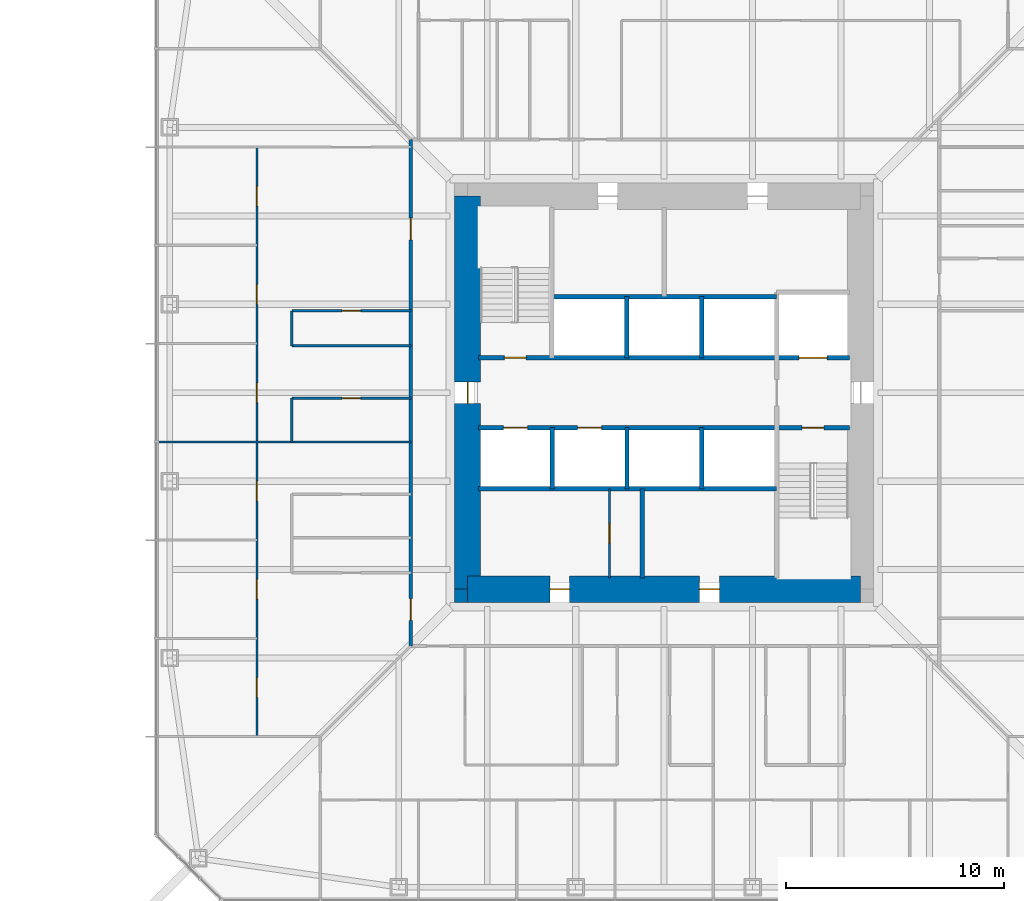
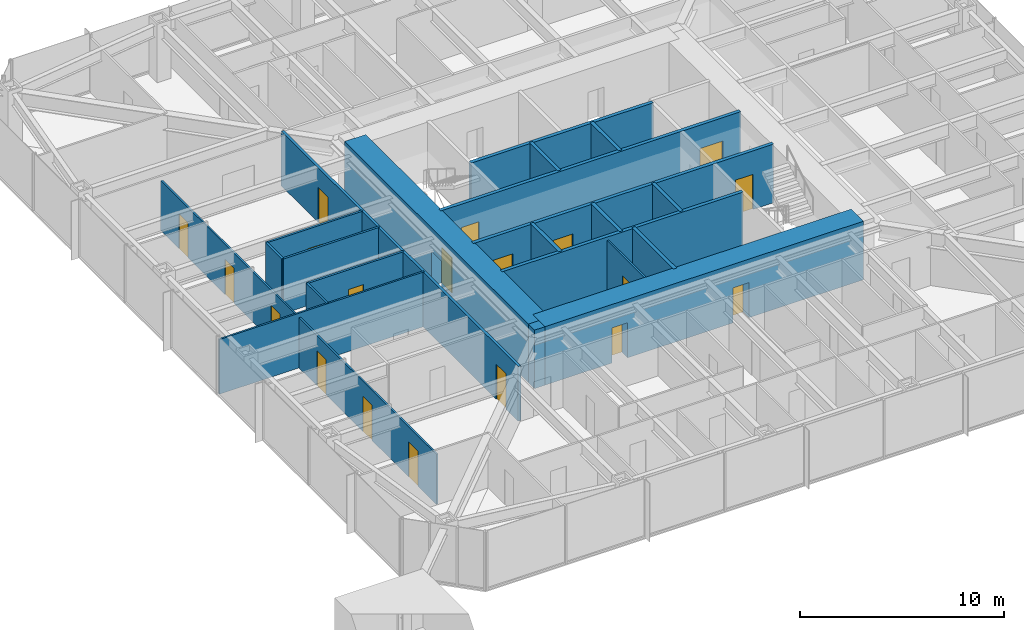
# One storey, part 15 of 26: 22 walls, 19 doors, 19 openings.
"""IFC4 building model written with IfcOpenShell, lengths in metres."""

import ifcopenshell
import ifcopenshell.guid

model = None  # the IFC model being written
_history = None  # IfcOwnerHistory: only IFC2X3 demands one
_inside = {}  # id of a spatial element -> (the spatial element, [elements in it])
_under = {}  # id of a project, library or spatial element -> (it, [spatial elements below it])
_declared = {}  # id of a project -> (the project, [libraries it declares])
_typed = {}  # id of a type object -> (the type object, [elements of that type])
_made_of = {}  # id of a material, layer set ... -> (it, [elements and type objects made of it])


def new_model(schema):
    """Start an empty IFC model of exactly this schema.

    Asked for "IFC4X3", IfcOpenShell would pick the latest addendum, in which some entities
    have other attributes; the version numbers below select the first issue.
    IFC2X3 requires an IfcOwnerHistory on every rooted entity: one is made here for all.
    """
    global model, _history
    if schema == "IFC4X3":
        model = ifcopenshell.file(schema_version=(4, 3, 0, 0))
    else:
        model = ifcopenshell.file(schema=schema)
    _inside.clear()
    _under.clear()
    _declared.clear()
    _typed.clear()
    _made_of.clear()
    _history = None
    if model.schema == "IFC2X3":
        org = make("IfcOrganization", Name="unknown")
        user = make(
            "IfcPersonAndOrganization",
            ThePerson=make("IfcPerson", FamilyName="unknown"),
            TheOrganization=org,
        )
        app = make(
            "IfcApplication",
            ApplicationDeveloper=org,
            Version="unknown",
            ApplicationFullName="unknown",
            ApplicationIdentifier="unknown",
        )
        _history = make(
            "IfcOwnerHistory",
            OwningUser=user,
            OwningApplication=app,
            ChangeAction="ADDED",
            CreationDate=0,
        )
    return model


def make(cls, **values):
    """One entity of the class cls with the attributes given. An attribute that is None is left unset."""
    return model.create_entity(
        cls, **{name: value for name, value in values.items() if value is not None}
    )


def rooted(cls, **values):
    """An entity with a GlobalId (a new one), such as an element, a storey or a relation."""
    return make(cls, GlobalId=ifcopenshell.guid.new(), OwnerHistory=_history, **values)


def si_unit(unit_type, name, prefix=None):
    """IfcSIUnit, for example si_unit("LENGTHUNIT", "METRE", prefix="MILLI")."""
    return make("IfcSIUnit", UnitType=unit_type, Prefix=prefix, Name=name)


def assignment(units):
    """IfcUnitAssignment: the units of a project."""
    return None if units is None else make("IfcUnitAssignment", Units=units)


def point(xyz):
    """IfcCartesianPoint."""
    return None if xyz is None else make("IfcCartesianPoint", Coordinates=xyz)


def direction(xyz):
    """IfcDirection."""
    return None if xyz is None else make("IfcDirection", DirectionRatios=xyz)


def frame(location, z_axis=None, x_axis=None):
    """IfcAxis2Placement3D, a coordinate frame: its origin and axes. An axis left out is left unset."""
    return make(
        "IfcAxis2Placement3D",
        Location=point(location),
        Axis=direction(z_axis),
        RefDirection=direction(x_axis),
    )


def frame_2d(location, x_axis=None):
    """IfcAxis2Placement2D, a coordinate frame in the plane: its origin and x axis."""
    return make(
        "IfcAxis2Placement2D", Location=point(location), RefDirection=direction(x_axis)
    )


def origin():
    """The frame at (0, 0, 0) with its axes left unset."""
    return frame((0.0, 0.0, 0.0))


def place(relative_to, where):
    """IfcLocalPlacement: puts the frame where relative to a parent placement (None: the world)."""
    return make(
        "IfcLocalPlacement", PlacementRelTo=relative_to, RelativePlacement=where
    )


def context(
    kind, dimensions, precision=None, world=None, true_north=None, identifier=None
):
    """IfcGeometricRepresentationContext, for example the 3D "Model" context."""
    return make(
        "IfcGeometricRepresentationContext",
        ContextIdentifier=identifier,
        ContextType=kind,
        CoordinateSpaceDimension=dimensions,
        Precision=precision,
        WorldCoordinateSystem=world,
        TrueNorth=true_north,
    )


def subcontext(parent, identifier, kind, view, scale=None):
    """IfcGeometricRepresentationSubContext, for example "Body" below "Model"."""
    return make(
        "IfcGeometricRepresentationSubContext",
        ContextIdentifier=identifier,
        ContextType=kind,
        ParentContext=parent,
        TargetScale=scale,
        TargetView=view,
    )


def project(units=None, contexts=None):
    """IfcProject with its units and contexts."""
    return rooted(
        "IfcProject",
        Name="project",
        RepresentationContexts=contexts,
        UnitsInContext=assignment(units),
    )


def spatial(cls, under=None, at=None, **own):
    """A site, building, storey or space (cls), placed at a placement, below another one or the project."""
    s = rooted(cls, ObjectPlacement=at, **own)
    if under is not None:
        _under.setdefault(under.id(), (under, []))[1].append(s)
    return s


def profile(cls, at=None, kind="AREA", **sizes):
    """A parametric profile (cls). Its sizes go by their IFC names, for example OverallWidth=200.0."""
    return make(cls, ProfileType=kind, Position=at, **sizes)


def rectangle(**sizes):
    """IfcRectangleProfileDef."""
    return profile("IfcRectangleProfileDef", **sizes)


def extrude(swept, where, along, depth):
    """IfcExtrudedAreaSolid: the profile swept, set in the frame where, extruded along a direction by depth."""
    return make(
        "IfcExtrudedAreaSolid",
        SweptArea=swept,
        Position=where,
        ExtrudedDirection=direction(along),
        Depth=depth,
    )


def shape(context_of_items, identifier, shape_type, items):
    """IfcShapeRepresentation: the items that make up one representation, for example the "Body"."""
    return make(
        "IfcShapeRepresentation",
        ContextOfItems=context_of_items,
        RepresentationIdentifier=identifier,
        RepresentationType=shape_type,
        Items=items,
    )


def material(Name=None, Category=None):
    """IfcMaterial."""
    return make("IfcMaterial", Name=Name, Category=Category)


def layer(
    of_material, thickness, ventilated=None, Name=None, Category=None, Priority=None
):
    """IfcMaterialLayer: one layer of a wall or slab, of a material (None: an air gap)."""
    return make(
        "IfcMaterialLayer",
        Material=of_material,
        LayerThickness=thickness,
        IsVentilated=ventilated,
        Name=Name,
        Category=Category,
        Priority=Priority,
    )


def layer_set(layers, Name=None):
    """IfcMaterialLayerSet."""
    return make("IfcMaterialLayerSet", MaterialLayers=layers, LayerSetName=Name)


def made_of(thing, what):
    """Note that an element or type object is made of a material, layer set ...; save() writes the relation."""
    if what is not None:
        _made_of.setdefault(what.id(), (what, []))[1].append(thing)
    return thing


def type_object(cls, material=None, **own):
    """A type object (cls), such as IfcWallType, which elements share."""
    return made_of(rooted(cls, **own), material)


def element(
    cls,
    number,
    at=None,
    inside=None,
    cuts=None,
    type_object=None,
    material=None,
    context=None,
    identifier="Body",
    shape_type=None,
    held_by="IfcProductDefinitionShape",
    body=None,
    shapes=None,
    **own,
):
    """One element of the class cls, such as IfcWall. Its Tag is "e" and its number.

    at: its placement. inside: the storey or other place that contains it. cuts: it is an
    opening in that element (IfcRelVoidsElement). A single representation is given by context,
    identifier, shape_type and body (its items); several are given by shapes. held_by: the class
    of the entity that holds the representations. save() writes the other relations.
    """
    e = rooted(cls, Tag="e%d" % number, ObjectPlacement=at, **own)
    if body is not None:
        shapes = [shape(context, identifier, shape_type, body)]
    if shapes is not None:
        e.Representation = make(held_by, Representations=shapes)
    if inside is not None:
        _inside.setdefault(inside.id(), (inside, []))[1].append(e)
    if cuts is not None:
        rooted(
            "IfcRelVoidsElement", RelatingBuildingElement=cuts, RelatedOpeningElement=e
        )
    if type_object is not None:
        _typed.setdefault(type_object.id(), (type_object, []))[1].append(e)
    return made_of(e, material)


def fill(opening, filler):
    """IfcRelFillsElement: the door or window that sits in an opening."""
    return rooted(
        "IfcRelFillsElement",
        RelatingOpeningElement=opening,
        RelatedBuildingElement=filler,
    )


def aggregate(whole, parts):
    """IfcRelAggregates: a whole, such as a stair, and the parts it consists of."""
    return rooted("IfcRelAggregates", RelatingObject=whole, RelatedObjects=parts)


def save(model, path):
    """Write the relations noted so far, then the file.

    IfcRelAggregates (storeys below a building ...), IfcRelContainedInSpatialStructure (elements
    in a storey), IfcRelDefinesByType, IfcRelAssociatesMaterial and IfcRelDeclares: one each for
    every whole, place, type object, material and project.
    """
    for whole, parts in _under.values():
        aggregate(whole, parts)
    for where, things in _inside.values():
        rooted(
            "IfcRelContainedInSpatialStructure",
            RelatedElements=things,
            RelatingStructure=where,
        )
    for kind, things in _typed.values():
        rooted("IfcRelDefinesByType", RelatedObjects=things, RelatingType=kind)
    for what, things in _made_of.values():
        rooted("IfcRelAssociatesMaterial", RelatedObjects=things, RelatingMaterial=what)
    for by, libraries in _declared.values():
        rooted("IfcRelDeclares", RelatingContext=by, RelatedDefinitions=libraries)
    model.write(path)


model = new_model("IFC4")

# Units and contexts
model_context = context("Model", 3, precision=1e-05, world=origin(), true_north=direction((0.0, 1.0)))
body_context = subcontext(model_context, "Body", "Model", "MODEL_VIEW")
ifc_project = project(units=[si_unit("LENGTHUNIT", "METRE"), si_unit("AREAUNIT", "SQUARE_METRE"), si_unit("VOLUMEUNIT", "CUBIC_METRE"), si_unit("PLANEANGLEUNIT", "RADIAN"), si_unit("MASSUNIT", "GRAM", prefix="KILO")], contexts=[model_context])

# Site, building, storey
site_placement = place(None, origin())
site = spatial("IfcSite", under=ifc_project, at=site_placement, CompositionType="ELEMENT")
building_placement = place(site_placement, origin())
building = spatial("IfcBuilding", under=site, at=building_placement, Name="Iwan Alto Co-Living Towers", CompositionType="ELEMENT")
storey_placement = place(building_placement, frame((0.0, 0.0, 67.5)))
storey = spatial("IfcBuildingStorey", under=building, at=storey_placement, Name="L18", CompositionType="ELEMENT", Elevation=67.5)

# Wall, openings, doors
ifc_material_1 = material(Name="Gypsum board")
ifc_layer_1 = layer(ifc_material_1, 0.02490234375, Name="Board", Category="Finish")
ifc_material_2 = material(Name="Steel ASTM A1003 ST33H cold-formed studs", Category="steel")
ifc_layer_2 = layer(ifc_material_2, 0.10009765625, Name="Studs", Category="Framing")
ifc_layer_3 = layer(ifc_material_1, 0.02490234375, Name="Board", Category="Finish")
ifc_layer_set_1 = layer_set([ifc_layer_1, ifc_layer_2, ifc_layer_3], Name="CORRIDOR WALL 150")
wall_type_1 = type_object("IfcWallType", Name="CORRIDOR WALL 150", PredefinedType="PARTITIONING", material=ifc_layer_set_1)
wall_1_placement = place(storey_placement, frame((-11.60009765625, -11.60009765625, 0.0), z_axis=(0.0, 0.0, 1.0), x_axis=(0.0, 1.0, 0.0)))
wall_1 = element("IfcWall", 1, at=wall_1_placement, inside=storey, type_object=wall_type_1, Name="Partition L18", PredefinedType="PARTITIONING", context=body_context, shape_type="SweptSolid", body=[
    extrude(rectangle(XDim=23.2001953125, YDim=0.14990234375, at=frame_2d((11.60009765625, 0.0))), origin(), (0.0, 0.0, 1.0), 3.27001953125),
])
opening_1_placement = place(wall_1_placement, frame((18.60009765625, 0.0, 0.0)))
opening_1 = element("IfcOpeningElement", 2, at=opening_1_placement, cuts=wall_1, Name="Opening D3", PredefinedType="OPENING", context=body_context, shape_type="SweptSolid", body=[
    extrude(rectangle(XDim=1.0, YDim=2.10009765625, at=frame_2d((0.5, 1.050048828125))), frame((0.0, 0.0849609375, 0.0), z_axis=(0.0, -1.0, 0.0), x_axis=(1.0, 0.0, 0.0)), (0.0, 0.0, 1.0), 0.169921875),
])
opening_2_placement = place(wall_1_placement, frame((1.175048828125, 0.0, 0.0)))
opening_2 = element("IfcOpeningElement", 3, at=opening_2_placement, cuts=wall_1, Name="Opening D3", PredefinedType="OPENING", context=body_context, shape_type="SweptSolid", body=[
    extrude(rectangle(XDim=1.0, YDim=2.10009765625, at=frame_2d((0.5, 1.050048828125))), frame((0.0, 0.0849609375, 0.0), z_axis=(0.0, -1.0, 0.0), x_axis=(1.0, 0.0, 0.0)), (0.0, 0.0, 1.0), 0.169921875),
])
ifc_material_3 = material(Name="Steel frame with timber leaf", Category="steel")
door_type_1 = type_object("IfcDoorType", Name="FLAT ENTRANCE DOOR FD30S 1000X2100", OperationType="SINGLE_SWING_LEFT", PredefinedType="DOOR", material=ifc_material_3)
door_1_placement = place(opening_1_placement, origin())
door_1 = element("IfcDoor", 4, at=door_1_placement, inside=storey, type_object=door_type_1, Name="Cluster lounge and shared kitchen door L18", OperationType="SINGLE_SWING_LEFT", OverallHeight=2.10009765625, OverallWidth=1.0, PredefinedType="DOOR", context=body_context, shape_type="SweptSolid", body=[
    extrude(rectangle(XDim=1.0, YDim=2.10009765625, at=frame_2d((0.5, 1.050048828125))), frame((0.0, 0.02490234375, 0.0), z_axis=(0.0, -1.0, 0.0), x_axis=(1.0, 0.0, 0.0)), (0.0, 0.0, 1.0), 0.050048828125),
])
fill(opening_1, door_1)
door_2_placement = place(opening_2_placement, origin())
door_2 = element("IfcDoor", 5, at=door_2_placement, inside=storey, type_object=door_type_1, Name="Cluster lounge and shared kitchen door L18", OperationType="SINGLE_SWING_RIGHT", OverallHeight=2.10009765625, OverallWidth=1.0, PredefinedType="DOOR", context=body_context, shape_type="SweptSolid", body=[
    extrude(rectangle(XDim=1.0, YDim=2.10009765625, at=frame_2d((0.5, 1.050048828125))), frame((0.0, 0.02490234375, 0.0), z_axis=(0.0, -1.0, 0.0), x_axis=(1.0, 0.0, 0.0)), (0.0, 0.0, 1.0), 0.050048828125),
])
fill(opening_2, door_2)

# Wall
ifc_layer_4 = layer(ifc_material_1, 0.012451171875, Name="Board", Category="Finish")
ifc_layer_5 = layer(ifc_material_2, 0.074951171875, Name="Studs", Category="Framing")
ifc_layer_6 = layer(ifc_material_1, 0.012451171875, Name="Board", Category="Finish")
ifc_layer_set_2 = layer_set([ifc_layer_4, ifc_layer_5, ifc_layer_6], Name="PARTITION 100")
wall_type_2 = type_object("IfcWallType", Name="PARTITION 100", PredefinedType="PARTITIONING", material=ifc_layer_set_2)
wall_2_placement = place(storey_placement, frame((-23.18994140625, -2.25, 0.0), z_axis=(0.0, 0.0, 1.0), x_axis=(1.0, 0.0, 0.0)))
element("IfcWall", 6, at=wall_2_placement, inside=storey, type_object=wall_type_2, Name="Partition L18", PredefinedType="PARTITIONING", context=body_context, shape_type="SweptSolid", body=[
    extrude(rectangle(XDim=11.58984375, YDim=0.10009765625, at=frame_2d((5.794921875, 0.0))), origin(), (0.0, 0.0, 1.0), 3.27001953125),
])

# Wall, opening, door
wall_3_placement = place(storey_placement, frame((-2.5, -8.489990234375, 0.0), z_axis=(0.0, 0.0, 1.0), x_axis=(0.0, 1.0, 0.0)))
wall_3 = element("IfcWall", 7, at=wall_3_placement, inside=storey, type_object=wall_type_2, Name="Partition L18", PredefinedType="PARTITIONING", context=body_context, shape_type="SweptSolid", body=[
    extrude(rectangle(XDim=4.090087890625, YDim=0.10009765625, at=frame_2d((2.044921875, 0.0))), origin(), (0.0, 0.0, 1.0), 3.300048828125),
])
opening_3_placement = place(wall_3_placement, frame((1.594970703125, 0.0, 0.0)))
opening_3 = element("IfcOpeningElement", 8, at=opening_3_placement, cuts=wall_3, Name="Opening D16", PredefinedType="OPENING", context=body_context, shape_type="SweptSolid", body=[
    extrude(rectangle(XDim=0.89990234375, YDim=2.10009765625, at=frame_2d((0.449951171875, 1.050048828125))), frame((0.0, 0.06005859375, 0.0), z_axis=(0.0, -1.0, 0.0), x_axis=(1.0, 0.0, 0.0)), (0.0, 0.0, 1.0), 0.1201171875),
])
ifc_material_4 = material(Name="Timber leaf in steel frame", Category="steel")
door_type_2 = type_object("IfcDoorType", Name="CUPBOARD SLIDING DOOR 900X2100", OperationType="SLIDING_TO_LEFT", PredefinedType="DOOR", material=ifc_material_4)
door_3_placement = place(opening_3_placement, origin())
door_3 = element("IfcDoor", 9, at=door_3_placement, inside=storey, type_object=door_type_2, Name="Recycling store door L18", OperationType="SLIDING_TO_LEFT", OverallHeight=2.10009765625, OverallWidth=0.89990234375, PredefinedType="DOOR", context=body_context, shape_type="SweptSolid", body=[
    extrude(rectangle(XDim=0.89990234375, YDim=2.10009765625, at=frame_2d((0.449951171875, 1.050048828125))), frame((0.0, 0.02490234375, 0.0), z_axis=(0.0, -1.0, 0.0), x_axis=(1.0, 0.0, 0.0)), (0.0, 0.0, 1.0), 0.050048828125),
])
fill(opening_3, door_3)

# Wall, openings, doors
wall_4_placement = place(storey_placement, frame((-18.64990234375, -15.75, 0.0), z_axis=(0.0, 0.0, 1.0), x_axis=(0.0, 1.0, 0.0)))
wall_4 = element("IfcWall", 10, at=wall_4_placement, inside=storey, type_object=wall_type_2, Name="Partition L18", PredefinedType="PARTITIONING", context=body_context, shape_type="SweptSolid", body=[
    extrude(rectangle(XDim=27.0, YDim=0.10009765625, at=frame_2d((13.5, 0.0))), origin(), (0.0, 0.0, 1.0), 3.0),
])
opening_4_placement = place(wall_4_placement, frame((24.300048828125, 0.0, 0.0)))
opening_4 = element("IfcOpeningElement", 11, at=opening_4_placement, cuts=wall_4, Name="Opening D1", PredefinedType="OPENING", context=body_context, shape_type="SweptSolid", body=[
    extrude(rectangle(XDim=0.89990234375, YDim=2.10009765625, at=frame_2d((0.449951171875, 1.050048828125))), frame((0.0, 0.06005859375, 0.0), z_axis=(0.0, -1.0, 0.0), x_axis=(1.0, 0.0, 0.0)), (0.0, 0.0, 1.0), 0.1201171875),
])
opening_5_placement = place(wall_4_placement, frame((19.800048828125, 0.0, 0.0)))
opening_5 = element("IfcOpeningElement", 12, at=opening_5_placement, cuts=wall_4, Name="Opening D1", PredefinedType="OPENING", context=body_context, shape_type="SweptSolid", body=[
    extrude(rectangle(XDim=0.89990234375, YDim=2.10009765625, at=frame_2d((0.449951171875, 1.050048828125))), frame((0.0, 0.06005859375, 0.0), z_axis=(0.0, -1.0, 0.0), x_axis=(1.0, 0.0, 0.0)), (0.0, 0.0, 1.0), 0.1201171875),
])
opening_6_placement = place(wall_4_placement, frame((15.300048828125, 0.0, 0.0)))
opening_6 = element("IfcOpeningElement", 13, at=opening_6_placement, cuts=wall_4, Name="Opening D1", PredefinedType="OPENING", context=body_context, shape_type="SweptSolid", body=[
    extrude(rectangle(XDim=0.89990234375, YDim=2.10009765625, at=frame_2d((0.449951171875, 1.050048828125))), frame((0.0, 0.06005859375, 0.0), z_axis=(0.0, -1.0, 0.0), x_axis=(1.0, 0.0, 0.0)), (0.0, 0.0, 1.0), 0.1201171875),
])
opening_7_placement = place(wall_4_placement, frame((10.800048828125, 0.0, 0.0)))
opening_7 = element("IfcOpeningElement", 14, at=opening_7_placement, cuts=wall_4, Name="Opening D1", PredefinedType="OPENING", context=body_context, shape_type="SweptSolid", body=[
    extrude(rectangle(XDim=0.89990234375, YDim=2.10009765625, at=frame_2d((0.449951171875, 1.050048828125))), frame((0.0, 0.06005859375, 0.0), z_axis=(0.0, -1.0, 0.0), x_axis=(1.0, 0.0, 0.0)), (0.0, 0.0, 1.0), 0.1201171875),
])
opening_8_placement = place(wall_4_placement, frame((6.300048828125, 0.0, 0.0)))
opening_8 = element("IfcOpeningElement", 15, at=opening_8_placement, cuts=wall_4, Name="Opening D1", PredefinedType="OPENING", context=body_context, shape_type="SweptSolid", body=[
    extrude(rectangle(XDim=0.89990234375, YDim=2.10009765625, at=frame_2d((0.449951171875, 1.050048828125))), frame((0.0, 0.06005859375, 0.0), z_axis=(0.0, -1.0, 0.0), x_axis=(1.0, 0.0, 0.0)), (0.0, 0.0, 1.0), 0.1201171875),
])
opening_9_placement = place(wall_4_placement, frame((1.800048828125, 0.0, 0.0)))
opening_9 = element("IfcOpeningElement", 16, at=opening_9_placement, cuts=wall_4, Name="Opening D1", PredefinedType="OPENING", context=body_context, shape_type="SweptSolid", body=[
    extrude(rectangle(XDim=0.89990234375, YDim=2.10009765625, at=frame_2d((0.449951171875, 1.050048828125))), frame((0.0, 0.06005859375, 0.0), z_axis=(0.0, -1.0, 0.0), x_axis=(1.0, 0.0, 0.0)), (0.0, 0.0, 1.0), 0.1201171875),
])
ifc_material_5 = material(Name="Timber leaf in steel frame", Category="steel")
door_type_3 = type_object("IfcDoorType", Name="BEDROOM DOOR 900X2100", OperationType="SINGLE_SWING_LEFT", PredefinedType="DOOR", material=ifc_material_5)
door_4_placement = place(opening_4_placement, frame((0.89990234375, 0.0, 0.0), z_axis=(0.0, 0.0, 1.0), x_axis=(-1.0, 0.0, 0.0)))
door_4 = element("IfcDoor", 17, at=door_4_placement, inside=storey, type_object=door_type_3, Name="Study bedroom door L18", OperationType="SINGLE_SWING_LEFT", OverallHeight=2.10009765625, OverallWidth=0.89990234375, PredefinedType="DOOR", context=body_context, shape_type="SweptSolid", body=[
    extrude(rectangle(XDim=0.89990234375, YDim=2.10009765625, at=frame_2d((0.449951171875, 1.050048828125))), frame((0.0, 0.02490234375, 0.0), z_axis=(0.0, -1.0, 0.0), x_axis=(1.0, 0.0, 0.0)), (0.0, 0.0, 1.0), 0.050048828125),
])
fill(opening_4, door_4)
door_5_placement = place(opening_5_placement, frame((0.89990234375, 0.0, 0.0), z_axis=(0.0, 0.0, 1.0), x_axis=(-1.0, 0.0, 0.0)))
door_5 = element("IfcDoor", 18, at=door_5_placement, inside=storey, type_object=door_type_3, Name="Study bedroom door L18", OperationType="SINGLE_SWING_RIGHT", OverallHeight=2.10009765625, OverallWidth=0.89990234375, PredefinedType="DOOR", context=body_context, shape_type="SweptSolid", body=[
    extrude(rectangle(XDim=0.89990234375, YDim=2.10009765625, at=frame_2d((0.449951171875, 1.050048828125))), frame((0.0, 0.02490234375, 0.0), z_axis=(0.0, -1.0, 0.0), x_axis=(1.0, 0.0, 0.0)), (0.0, 0.0, 1.0), 0.050048828125),
])
fill(opening_5, door_5)
door_6_placement = place(opening_6_placement, frame((0.89990234375, 0.0, 0.0), z_axis=(0.0, 0.0, 1.0), x_axis=(-1.0, 0.0, 0.0)))
door_6 = element("IfcDoor", 19, at=door_6_placement, inside=storey, type_object=door_type_3, Name="Study bedroom door L18", OperationType="SINGLE_SWING_RIGHT", OverallHeight=2.10009765625, OverallWidth=0.89990234375, PredefinedType="DOOR", context=body_context, shape_type="SweptSolid", body=[
    extrude(rectangle(XDim=0.89990234375, YDim=2.10009765625, at=frame_2d((0.449951171875, 1.050048828125))), frame((0.0, 0.02490234375, 0.0), z_axis=(0.0, -1.0, 0.0), x_axis=(1.0, 0.0, 0.0)), (0.0, 0.0, 1.0), 0.050048828125),
])
fill(opening_6, door_6)
door_7_placement = place(opening_7_placement, frame((0.89990234375, 0.0, 0.0), z_axis=(0.0, 0.0, 1.0), x_axis=(-1.0, 0.0, 0.0)))
door_7 = element("IfcDoor", 20, at=door_7_placement, inside=storey, type_object=door_type_3, Name="Study bedroom door L18", OperationType="SINGLE_SWING_LEFT", OverallHeight=2.10009765625, OverallWidth=0.89990234375, PredefinedType="DOOR", context=body_context, shape_type="SweptSolid", body=[
    extrude(rectangle(XDim=0.89990234375, YDim=2.10009765625, at=frame_2d((0.449951171875, 1.050048828125))), frame((0.0, 0.02490234375, 0.0), z_axis=(0.0, -1.0, 0.0), x_axis=(1.0, 0.0, 0.0)), (0.0, 0.0, 1.0), 0.050048828125),
])
fill(opening_7, door_7)
door_8_placement = place(opening_8_placement, frame((0.89990234375, 0.0, 0.0), z_axis=(0.0, 0.0, 1.0), x_axis=(-1.0, 0.0, 0.0)))
door_8 = element("IfcDoor", 21, at=door_8_placement, inside=storey, type_object=door_type_3, Name="Study bedroom door L18", OperationType="SINGLE_SWING_RIGHT", OverallHeight=2.10009765625, OverallWidth=0.89990234375, PredefinedType="DOOR", context=body_context, shape_type="SweptSolid", body=[
    extrude(rectangle(XDim=0.89990234375, YDim=2.10009765625, at=frame_2d((0.449951171875, 1.050048828125))), frame((0.0, 0.02490234375, 0.0), z_axis=(0.0, -1.0, 0.0), x_axis=(1.0, 0.0, 0.0)), (0.0, 0.0, 1.0), 0.050048828125),
])
fill(opening_8, door_8)
door_9_placement = place(opening_9_placement, frame((0.89990234375, 0.0, 0.0), z_axis=(0.0, 0.0, 1.0), x_axis=(-1.0, 0.0, 0.0)))
door_9 = element("IfcDoor", 22, at=door_9_placement, inside=storey, type_object=door_type_3, Name="Study bedroom door L18", OperationType="SINGLE_SWING_RIGHT", OverallHeight=2.10009765625, OverallWidth=0.89990234375, PredefinedType="DOOR", context=body_context, shape_type="SweptSolid", body=[
    extrude(rectangle(XDim=0.89990234375, YDim=2.10009765625, at=frame_2d((0.449951171875, 1.050048828125))), frame((0.0, 0.02490234375, 0.0), z_axis=(0.0, -1.0, 0.0), x_axis=(1.0, 0.0, 0.0)), (0.0, 0.0, 1.0), 0.050048828125),
])
fill(opening_9, door_9)

# Wall
ifc_material_6 = material(Name="Concrete f'c 70 MPa", Category="concrete")
ifc_layer_7 = layer(ifc_material_6, 0.199951171875)
ifc_layer_set_3 = layer_set([ifc_layer_7], Name="SHAFT WALL 200")
wall_type_3 = type_object("IfcWallType", Name="SHAFT WALL 200", PredefinedType="SOLIDWALL", material=ifc_layer_set_3)
wall_5_placement = place(storey_placement, frame((-8.489990234375, -4.39990234375, 0.0), z_axis=(0.0, 0.0, 1.0), x_axis=(1.0, 0.0, 0.0)))
element("IfcWall", 23, at=wall_5_placement, inside=storey, type_object=wall_type_3, Name="Shaft wall L18", PredefinedType="SOLIDWALL", context=body_context, shape_type="SweptSolid", body=[
    extrude(rectangle(XDim=13.639892578125, YDim=0.199951171875, at=frame_2d((6.81982421875, 0.0))), origin(), (0.0, 0.0, 1.0), 3.5),
])

# Wall, openings, doors
wall_6_placement = place(storey_placement, frame((-8.489990234375, -1.60009765625, 0.0), z_axis=(0.0, 0.0, 1.0), x_axis=(1.0, 0.0, 0.0)))
wall_6 = element("IfcWall", 24, at=wall_6_placement, inside=storey, type_object=wall_type_3, Name="Shaft wall L18", PredefinedType="SOLIDWALL", context=body_context, shape_type="SweptSolid", body=[
    extrude(rectangle(XDim=16.97998046875, YDim=0.199951171875, at=frame_2d((8.489990234375, 0.0))), origin(), (0.0, 0.0, 1.0), 3.5),
])
opening_10_placement = place(wall_6_placement, frame((14.81005859375, 0.0, 0.0)))
opening_10 = element("IfcOpeningElement", 25, at=opening_10_placement, cuts=wall_6, Name="Opening D5", PredefinedType="OPENING", context=body_context, shape_type="SweptSolid", body=[
    extrude(rectangle(XDim=1.0, YDim=2.10009765625, at=frame_2d((0.5, 1.050048828125))), frame((0.0, 0.10986328125, 0.0), z_axis=(0.0, -1.0, 0.0), x_axis=(1.0, 0.0, 0.0)), (0.0, 0.0, 1.0), 0.219970703125),
])
opening_11_placement = place(wall_6_placement, frame((1.133056640625, 0.0, 0.0)))
opening_11 = element("IfcOpeningElement", 26, at=opening_11_placement, cuts=wall_6, Name="Opening LD", PredefinedType="OPENING", context=body_context, shape_type="SweptSolid", body=[
    extrude(rectangle(XDim=1.10009765625, YDim=2.10009765625, at=frame_2d((0.550048828125, 1.050048828125))), frame((0.0, 0.10986328125, 0.0), z_axis=(0.0, -1.0, 0.0), x_axis=(1.0, 0.0, 0.0)), (0.0, 0.0, 1.0), 0.219970703125),
])
opening_12_placement = place(wall_6_placement, frame((4.528076171875, 0.0, 0.0)))
opening_12 = element("IfcOpeningElement", 27, at=opening_12_placement, cuts=wall_6, Name="Opening LD", PredefinedType="OPENING", context=body_context, shape_type="SweptSolid", body=[
    extrude(rectangle(XDim=1.10009765625, YDim=2.10009765625, at=frame_2d((0.550048828125, 1.050048828125))), frame((0.0, 0.10986328125, 0.0), z_axis=(0.0, -1.0, 0.0), x_axis=(1.0, 0.0, 0.0)), (0.0, 0.0, 1.0), 0.219970703125),
])
ifc_material_7 = material(Name="Steel frame with timber leaf", Category="steel")
door_type_4 = type_object("IfcDoorType", Name="LIFT LANDING DOOR 1100X2100", OperationType="DOUBLE_DOOR_SLIDING", PredefinedType="DOOR", material=ifc_material_7)
door_10_placement = place(opening_11_placement, origin())
door_10 = element("IfcDoor", 28, at=door_10_placement, inside=storey, type_object=door_type_4, Name="Lift P1-1 landing door L18", OperationType="DOUBLE_DOOR_SLIDING", OverallHeight=2.10009765625, OverallWidth=1.10009765625, PredefinedType="DOOR", context=body_context, shape_type="SweptSolid", body=[
    extrude(rectangle(XDim=1.10009765625, YDim=2.10009765625, at=frame_2d((0.550048828125, 1.050048828125))), frame((0.0, 0.02490234375, 0.0), z_axis=(0.0, -1.0, 0.0), x_axis=(1.0, 0.0, 0.0)), (0.0, 0.0, 1.0), 0.050048828125),
])
fill(opening_11, door_10)
door_11_placement = place(opening_12_placement, origin())
door_11 = element("IfcDoor", 29, at=door_11_placement, inside=storey, type_object=door_type_4, Name="Lift P1-2 landing door L18", OperationType="DOUBLE_DOOR_SLIDING", OverallHeight=2.10009765625, OverallWidth=1.10009765625, PredefinedType="DOOR", context=body_context, shape_type="SweptSolid", body=[
    extrude(rectangle(XDim=1.10009765625, YDim=2.10009765625, at=frame_2d((0.550048828125, 1.050048828125))), frame((0.0, 0.02490234375, 0.0), z_axis=(0.0, -1.0, 0.0), x_axis=(1.0, 0.0, 0.0)), (0.0, 0.0, 1.0), 0.050048828125),
])
fill(opening_12, door_11)
ifc_material_8 = material(Name="Steel frame with timber leaf", Category="steel")
door_type_5 = type_object("IfcDoorType", Name="STAIR DOOR FD120S 1000X2100", OperationType="SINGLE_SWING_LEFT", PredefinedType="DOOR", material=ifc_material_8)
door_12_placement = place(opening_10_placement, frame((1.0, 0.0, 0.0), z_axis=(0.0, 0.0, 1.0), x_axis=(-1.0, 0.0, 0.0)))
door_12 = element("IfcDoor", 30, at=door_12_placement, inside=storey, type_object=door_type_5, Name="Stair S2 door L18", OperationType="SINGLE_SWING_RIGHT", OverallHeight=2.10009765625, OverallWidth=1.0, PredefinedType="DOOR", context=body_context, shape_type="SweptSolid", body=[
    extrude(rectangle(XDim=1.0, YDim=2.10009765625, at=frame_2d((0.5, 1.050048828125))), frame((0.0, 0.02490234375, 0.0), z_axis=(0.0, -1.0, 0.0), x_axis=(1.0, 0.0, 0.0)), (0.0, 0.0, 1.0), 0.050048828125),
])
fill(opening_10, door_12)

wall_7_placement = place(storey_placement, frame((-8.489990234375, 1.60009765625, 0.0), z_axis=(0.0, 0.0, 1.0), x_axis=(1.0, 0.0, 0.0)))
wall_7 = element("IfcWall", 31, at=wall_7_placement, inside=storey, type_object=wall_type_3, Name="Shaft wall L18", PredefinedType="SOLIDWALL", context=body_context, shape_type="SweptSolid", body=[
    extrude(rectangle(XDim=16.97998046875, YDim=0.199951171875, at=frame_2d((8.489990234375, 0.0))), origin(), (0.0, 0.0, 1.0), 3.5),
])
opening_13_placement = place(wall_7_placement, frame((1.169921875, 0.0, 0.0)))
opening_13 = element("IfcOpeningElement", 32, at=opening_13_placement, cuts=wall_7, Name="Opening D5", PredefinedType="OPENING", context=body_context, shape_type="SweptSolid", body=[
    extrude(rectangle(XDim=1.0, YDim=2.10009765625, at=frame_2d((0.5, 1.050048828125))), frame((0.0, 0.10986328125, 0.0), z_axis=(0.0, -1.0, 0.0), x_axis=(1.0, 0.0, 0.0)), (0.0, 0.0, 1.0), 0.219970703125),
])
opening_14_placement = place(wall_7_placement, frame((14.659912109375, 0.0, 0.0)))
opening_14 = element("IfcOpeningElement", 33, at=opening_14_placement, cuts=wall_7, Name="Opening LD2", PredefinedType="OPENING", context=body_context, shape_type="SweptSolid", body=[
    extrude(rectangle(XDim=1.300048828125, YDim=2.10009765625, at=frame_2d((0.64990234375, 1.050048828125))), frame((0.0, 0.10986328125, 0.0), z_axis=(0.0, -1.0, 0.0), x_axis=(1.0, 0.0, 0.0)), (0.0, 0.0, 1.0), 0.219970703125),
])
ifc_material_9 = material(Name="Steel frame with timber leaf", Category="steel")
door_type_6 = type_object("IfcDoorType", Name="LIFT LANDING DOOR 1300X2100", OperationType="SLIDING_TO_LEFT", PredefinedType="DOOR", material=ifc_material_9)
door_13_placement = place(opening_14_placement, origin())
door_13 = element("IfcDoor", 34, at=door_13_placement, inside=storey, type_object=door_type_6, Name="Lift FL1 landing door L18", OperationType="SLIDING_TO_LEFT", OverallHeight=2.10009765625, OverallWidth=1.300048828125, PredefinedType="DOOR", context=body_context, shape_type="SweptSolid", body=[
    extrude(rectangle(XDim=1.300048828125, YDim=2.10009765625, at=frame_2d((0.64990234375, 1.050048828125))), frame((0.0, 0.02490234375, 0.0), z_axis=(0.0, -1.0, 0.0), x_axis=(1.0, 0.0, 0.0)), (0.0, 0.0, 1.0), 0.050048828125),
])
fill(opening_14, door_13)
door_14_placement = place(opening_13_placement, origin())
door_14 = element("IfcDoor", 35, at=door_14_placement, inside=storey, type_object=door_type_5, Name="Stair S1 door L18", OperationType="SINGLE_SWING_RIGHT", OverallHeight=2.10009765625, OverallWidth=1.0, PredefinedType="DOOR", context=body_context, shape_type="SweptSolid", body=[
    extrude(rectangle(XDim=1.0, YDim=2.10009765625, at=frame_2d((0.5, 1.050048828125))), frame((0.0, 0.02490234375, 0.0), z_axis=(0.0, -1.0, 0.0), x_axis=(1.0, 0.0, 0.0)), (0.0, 0.0, 1.0), 0.050048828125),
])
fill(opening_13, door_14)

# Walls
wall_8_placement = place(storey_placement, frame((-5.14990234375, 4.39990234375, 0.0), z_axis=(0.0, 0.0, 1.0), x_axis=(1.0, 0.0, 0.0)))
element("IfcWall", 36, at=wall_8_placement, inside=storey, type_object=wall_type_3, Name="Shaft wall L18", PredefinedType="SOLIDWALL", context=body_context, shape_type="SweptSolid", body=[
    extrude(rectangle(XDim=10.2998046875, YDim=0.199951171875, at=frame_2d((5.14990234375, 0.0))), origin(), (0.0, 0.0, 1.0), 3.5),
])
for number, where, z_axis, x_axis, name in (
    (37, (1.72509765625, -4.39990234375, 0.0), (0.0, 0.0, 1.0), (0.0, 1.0, 0.0), "Shaft wall L18"),
    (38, (1.717041015625, 1.60009765625, 0.0), (0.0, 0.0, 1.0), (0.0, 1.0, 0.0), "Shaft wall L18"),
):
    element("IfcWall", number, at=place(storey_placement, frame(where, z_axis=z_axis, x_axis=x_axis)), inside=storey, type_object=wall_type_3, Name=name, PredefinedType="SOLIDWALL", context=body_context, shape_type="SweptSolid", body=[
        extrude(rectangle(XDim=2.7998046875, YDim=0.199951171875, at=frame_2d((1.39990234375, 0.0))), origin(), (0.0, 0.0, 1.0), 3.5),
    ])
wall_9_placement = place(storey_placement, frame((-1.0, -8.489990234375, 0.0), z_axis=(0.0, 0.0, 1.0), x_axis=(0.0, 1.0, 0.0)))
element("IfcWall", 39, at=wall_9_placement, inside=storey, type_object=wall_type_3, Name="Shaft wall L18", PredefinedType="SOLIDWALL", context=body_context, shape_type="SweptSolid", body=[
    extrude(rectangle(XDim=4.090087890625, YDim=0.199951171875, at=frame_2d((2.044921875, 0.0))), origin(), (0.0, 0.0, 1.0), 3.5),
])
for number, where, z_axis, x_axis, name in (
    (40, (-1.699951171875, -4.39990234375, 0.0), (0.0, 0.0, 1.0), (0.0, 1.0, 0.0), "Shaft wall L18"),
    (41, (-1.717041015625, 1.60009765625, 0.0), (0.0, 0.0, 1.0), (0.0, 1.0, 0.0), "Shaft wall L18"),
    (42, (-5.125, -4.39990234375, 0.0), (0.0, 0.0, 1.0), (0.0, 1.0, 0.0), "Shaft wall L18"),
):
    element("IfcWall", number, at=place(storey_placement, frame(where, z_axis=z_axis, x_axis=x_axis)), inside=storey, type_object=wall_type_3, Name=name, PredefinedType="SOLIDWALL", context=body_context, shape_type="SweptSolid", body=[
        extrude(rectangle(XDim=2.7998046875, YDim=0.199951171875, at=frame_2d((1.39990234375, 0.0))), origin(), (0.0, 0.0, 1.0), 3.5),
    ])
ifc_material_10 = material(Name="Concrete f'c 70 MPa", Category="concrete")
ifc_layer_8 = layer(ifc_material_10, 0.60009765625)
ifc_layer_set_4 = layer_set([ifc_layer_8], Name="T1 CORE CORNER FILL 600")
wall_type_4 = type_object("IfcWallType", Name="T1 CORE CORNER FILL 600", PredefinedType="SOLIDWALL", material=ifc_layer_set_4)
wall_10_placement = place(storey_placement, frame((-9.60009765625, -9.300048828125, 0.0), z_axis=(0.0, 0.0, 1.0), x_axis=(1.0, 0.0, 0.0)))
element("IfcWall", 43, at=wall_10_placement, inside=storey, type_object=wall_type_4, Name="T1 core corner SW L18", PredefinedType="SOLIDWALL", context=body_context, shape_type="SweptSolid", body=[
    extrude(rectangle(XDim=0.60009765625, YDim=0.60009765625, at=frame_2d((0.300048828125, 0.0))), origin(), (0.0, 0.0, 1.0), 3.5),
])

# Wall, openings, doors
ifc_material_11 = material(Name="Concrete f'c 70 MPa", Category="concrete")
ifc_layer_9 = layer(ifc_material_11, 1.199951171875)
ifc_layer_set_5 = layer_set([ifc_layer_9], Name="T1 CORE WALL 1200")
wall_type_5 = type_object("IfcWallType", Name="T1 CORE WALL 1200", PredefinedType="SHEAR", material=ifc_layer_set_5)
wall_11_placement = place(storey_placement, frame((-9.0, -9.0, 0.0), z_axis=(0.0, 0.0, 1.0), x_axis=(1.0, 0.0, 0.0)))
wall_11 = element("IfcWall", 44, at=wall_11_placement, inside=storey, type_object=wall_type_5, Name="T1 core wall S L18", PredefinedType="SHEAR", context=body_context, shape_type="SweptSolid", body=[
    extrude(rectangle(XDim=18.0, YDim=1.199951171875, at=frame_2d((9.0, 0.0))), origin(), (0.0, 0.0, 1.0), 3.5),
])
opening_15_placement = place(wall_11_placement, frame((3.77490234375, 0.0, 0.0)))
opening_15 = element("IfcOpeningElement", 45, at=opening_15_placement, cuts=wall_11, Name="Opening D8", PredefinedType="OPENING", context=body_context, shape_type="SweptSolid", body=[
    extrude(rectangle(XDim=0.89990234375, YDim=2.10009765625, at=frame_2d((0.449951171875, 1.050048828125))), frame((0.0, 0.60986328125, 0.0), z_axis=(0.0, -1.0, 0.0), x_axis=(1.0, 0.0, 0.0)), (0.0, 0.0, 1.0), 1.219970703125),
])
opening_16_placement = place(wall_11_placement, frame((10.625, 0.0, 0.0)))
opening_16 = element("IfcOpeningElement", 46, at=opening_16_placement, cuts=wall_11, Name="Opening D8", PredefinedType="OPENING", context=body_context, shape_type="SweptSolid", body=[
    extrude(rectangle(XDim=0.89990234375, YDim=2.10009765625, at=frame_2d((0.449951171875, 1.050048828125))), frame((0.0, 0.60986328125, 0.0), z_axis=(0.0, -1.0, 0.0), x_axis=(1.0, 0.0, 0.0)), (0.0, 0.0, 1.0), 1.219970703125),
])
ifc_material_12 = material(Name="Steel frame with timber leaf", Category="steel")
door_type_7 = type_object("IfcDoorType", Name="RISER DOOR FD120 900X2100", OperationType="SINGLE_SWING_LEFT", PredefinedType="DOOR", material=ifc_material_12)
door_15_placement = place(opening_15_placement, origin())
door_15 = element("IfcDoor", 47, at=door_15_placement, inside=storey, type_object=door_type_7, Name="Refuse room core door L18", OperationType="SINGLE_SWING_RIGHT", OverallHeight=2.10009765625, OverallWidth=0.89990234375, PredefinedType="DOOR", context=body_context, shape_type="SweptSolid", body=[
    extrude(rectangle(XDim=0.89990234375, YDim=2.10009765625, at=frame_2d((0.449951171875, 1.050048828125))), frame((0.0, 0.02490234375, 0.0), z_axis=(0.0, -1.0, 0.0), x_axis=(1.0, 0.0, 0.0)), (0.0, 0.0, 1.0), 0.050048828125),
])
fill(opening_15, door_15)
door_16_placement = place(opening_16_placement, origin())
door_16 = element("IfcDoor", 48, at=door_16_placement, inside=storey, type_object=door_type_7, Name="Telecom riser core door L18", OperationType="SINGLE_SWING_LEFT", OverallHeight=2.10009765625, OverallWidth=0.89990234375, PredefinedType="DOOR", context=body_context, shape_type="SweptSolid", body=[
    extrude(rectangle(XDim=0.89990234375, YDim=2.10009765625, at=frame_2d((0.449951171875, 1.050048828125))), frame((0.0, 0.02490234375, 0.0), z_axis=(0.0, -1.0, 0.0), x_axis=(1.0, 0.0, 0.0)), (0.0, 0.0, 1.0), 0.050048828125),
])
fill(opening_16, door_16)

# Wall, opening, door
wall_12_placement = place(storey_placement, frame((-9.0, 9.0, 0.0), z_axis=(0.0, 0.0, 1.0), x_axis=(0.0, -1.0, 0.0)))
wall_12 = element("IfcWall", 49, at=wall_12_placement, inside=storey, type_object=wall_type_5, Name="T1 core wall W L18", PredefinedType="SHEAR", context=body_context, shape_type="SweptSolid", body=[
    extrude(rectangle(XDim=18.0, YDim=1.199951171875, at=frame_2d((9.0, 0.0))), origin(), (0.0, 0.0, 1.0), 3.5),
])
opening_17_placement = place(wall_12_placement, frame((8.5, 0.0, 0.0)))
opening_17 = element("IfcOpeningElement", 50, at=opening_17_placement, cuts=wall_12, Name="Opening D7", PredefinedType="OPENING", context=body_context, shape_type="SweptSolid", body=[
    extrude(rectangle(XDim=1.0, YDim=2.10009765625, at=frame_2d((0.5, 1.050048828125))), frame((0.0, 0.60986328125, 0.0), z_axis=(0.0, -1.0, 0.0), x_axis=(1.0, 0.0, 0.0)), (0.0, 0.0, 1.0), 1.219970703125),
])
ifc_material_13 = material(Name="Steel frame with timber leaf", Category="steel")
door_type_8 = type_object("IfcDoorType", Name="CORE DOOR FD120S 1000X2100", OperationType="SINGLE_SWING_LEFT", PredefinedType="DOOR", material=ifc_material_13)
door_17_placement = place(opening_17_placement, origin())
door_17 = element("IfcDoor", 51, at=door_17_placement, inside=storey, type_object=door_type_8, Name="Lift lobby core door L18", OperationType="SINGLE_SWING_RIGHT", OverallHeight=2.10009765625, OverallWidth=1.0, PredefinedType="DOOR", context=body_context, shape_type="SweptSolid", body=[
    extrude(rectangle(XDim=1.0, YDim=2.10009765625, at=frame_2d((0.5, 1.050048828125))), frame((0.0, 0.02490234375, 0.0), z_axis=(0.0, -1.0, 0.0), x_axis=(1.0, 0.0, 0.0)), (0.0, 0.0, 1.0), 0.050048828125),
])
fill(opening_17, door_17)

ifc_material_14 = material(Name="Cement board")
ifc_layer_10 = layer(ifc_material_14, 0.012451171875, Name="Board", Category="Finish")
ifc_layer_11 = layer(ifc_material_2, 0.094970703125, Name="Studs", Category="Framing")
ifc_layer_12 = layer(ifc_material_14, 0.012451171875, Name="Board", Category="Finish")
ifc_layer_set_6 = layer_set([ifc_layer_10, ifc_layer_11, ifc_layer_12], Name="WET AREA PARTITION 120")
wall_type_6 = type_object("IfcWallType", Name="WET AREA PARTITION 120", PredefinedType="PARTITIONING", material=ifc_layer_set_6)
wall_13_placement = place(storey_placement, frame((-17.050048828125, -0.25, 0.0), z_axis=(0.0, 0.0, 1.0), x_axis=(1.0, 0.0, 0.0)))
wall_13 = element("IfcWall", 52, at=wall_13_placement, inside=storey, type_object=wall_type_6, Name="Partition L18", PredefinedType="PARTITIONING", context=body_context, shape_type="SweptSolid", body=[
    extrude(rectangle(XDim=5.449951171875, YDim=0.1201171875, at=frame_2d((2.72509765625, 0.0))), origin(), (0.0, 0.0, 1.0), 3.27001953125),
])
opening_18_placement = place(wall_13_placement, frame((2.300048828125, 0.0, 0.0)))
opening_18 = element("IfcOpeningElement", 53, at=opening_18_placement, cuts=wall_13, Name="Opening D2", PredefinedType="OPENING", context=body_context, shape_type="SweptSolid", body=[
    extrude(rectangle(XDim=0.85009765625, YDim=2.10009765625, at=frame_2d((0.425048828125, 1.050048828125))), frame((0.0, 0.070068359375, 0.0), z_axis=(0.0, -1.0, 0.0), x_axis=(1.0, 0.0, 0.0)), (0.0, 0.0, 1.0), 0.14013671875),
])
ifc_material_15 = material(Name="Timber leaf in steel frame", Category="steel")
door_type_9 = type_object("IfcDoorType", Name="ROOM DOOR 850X2100", OperationType="SINGLE_SWING_LEFT", PredefinedType="DOOR", material=ifc_material_15)
door_18_placement = place(opening_18_placement, origin())
door_18 = element("IfcDoor", 54, at=door_18_placement, inside=storey, type_object=door_type_9, Name="Laundry door L18", OperationType="SINGLE_SWING_RIGHT", OverallHeight=2.10009765625, OverallWidth=0.85009765625, PredefinedType="DOOR", context=body_context, shape_type="SweptSolid", body=[
    extrude(rectangle(XDim=0.85009765625, YDim=2.10009765625, at=frame_2d((0.425048828125, 1.050048828125))), frame((0.0, 0.02490234375, 0.0), z_axis=(0.0, -1.0, 0.0), x_axis=(1.0, 0.0, 0.0)), (0.0, 0.0, 1.0), 0.050048828125),
])
fill(opening_18, door_18)

# Wall
wall_14_placement = place(storey_placement, frame((-17.050048828125, 2.14990234375, 0.0), z_axis=(0.0, 0.0, 1.0), x_axis=(1.0, 0.0, 0.0)))
element("IfcWall", 55, at=wall_14_placement, inside=storey, type_object=wall_type_6, Name="Partition L18", PredefinedType="PARTITIONING", context=body_context, shape_type="SweptSolid", body=[
    extrude(rectangle(XDim=5.449951171875, YDim=0.1201171875, at=frame_2d((2.72509765625, 0.0))), origin(), (0.0, 0.0, 1.0), 3.27001953125),
])

# Wall, opening, door
wall_15_placement = place(storey_placement, frame((-17.050048828125, 3.75, 0.0), z_axis=(0.0, 0.0, 1.0), x_axis=(1.0, 0.0, 0.0)))
wall_15 = element("IfcWall", 56, at=wall_15_placement, inside=storey, type_object=wall_type_6, Name="Partition L18", PredefinedType="PARTITIONING", context=body_context, shape_type="SweptSolid", body=[
    extrude(rectangle(XDim=5.449951171875, YDim=0.1201171875, at=frame_2d((2.72509765625, 0.0))), origin(), (0.0, 0.0, 1.0), 3.27001953125),
])
opening_19_placement = place(wall_15_placement, frame((2.300048828125, 0.0, 0.0)))
opening_19 = element("IfcOpeningElement", 57, at=opening_19_placement, cuts=wall_15, Name="Opening D2", PredefinedType="OPENING", context=body_context, shape_type="SweptSolid", body=[
    extrude(rectangle(XDim=0.85009765625, YDim=2.10009765625, at=frame_2d((0.425048828125, 1.050048828125))), frame((0.0, 0.070068359375, 0.0), z_axis=(0.0, -1.0, 0.0), x_axis=(1.0, 0.0, 0.0)), (0.0, 0.0, 1.0), 0.14013671875),
])
door_19_placement = place(opening_19_placement, origin())
door_19 = element("IfcDoor", 58, at=door_19_placement, inside=storey, type_object=door_type_9, Name="Accessible bathroom door L18", OperationType="SINGLE_SWING_RIGHT", OverallHeight=2.10009765625, OverallWidth=0.85009765625, PredefinedType="DOOR", context=body_context, shape_type="SweptSolid", body=[
    extrude(rectangle(XDim=0.85009765625, YDim=2.10009765625, at=frame_2d((0.425048828125, 1.050048828125))), frame((0.0, 0.02490234375, 0.0), z_axis=(0.0, -1.0, 0.0), x_axis=(1.0, 0.0, 0.0)), (0.0, 0.0, 1.0), 0.050048828125),
])
fill(opening_19, door_19)

# Walls
wall_16_placement = place(storey_placement, frame((-17.050048828125, -2.25, 0.0), z_axis=(0.0, 0.0, 1.0), x_axis=(0.0, 1.0, 0.0)))
element("IfcWall", 59, at=wall_16_placement, inside=storey, type_object=wall_type_6, Name="Partition L18", PredefinedType="PARTITIONING", context=body_context, shape_type="SweptSolid", body=[
    extrude(rectangle(XDim=2.0, YDim=0.1201171875, at=frame_2d((1.0, 0.0))), origin(), (0.0, 0.0, 1.0), 3.27001953125),
])
wall_17_placement = place(storey_placement, frame((-17.050048828125, 2.14990234375, 0.0), z_axis=(0.0, 0.0, 1.0), x_axis=(0.0, 1.0, 0.0)))
element("IfcWall", 60, at=wall_17_placement, inside=storey, type_object=wall_type_6, Name="Partition L18", PredefinedType="PARTITIONING", context=body_context, shape_type="SweptSolid", body=[
    extrude(rectangle(XDim=1.60009765625, YDim=0.1201171875, at=frame_2d((0.800048828125, 0.0))), origin(), (0.0, 0.0, 1.0), 3.27001953125),
])

save(model, "model.ifc")
